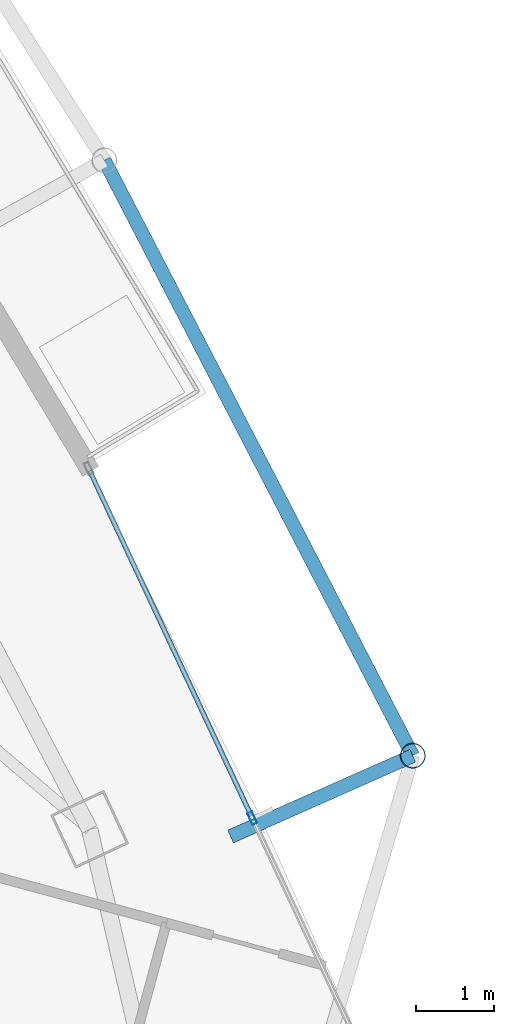
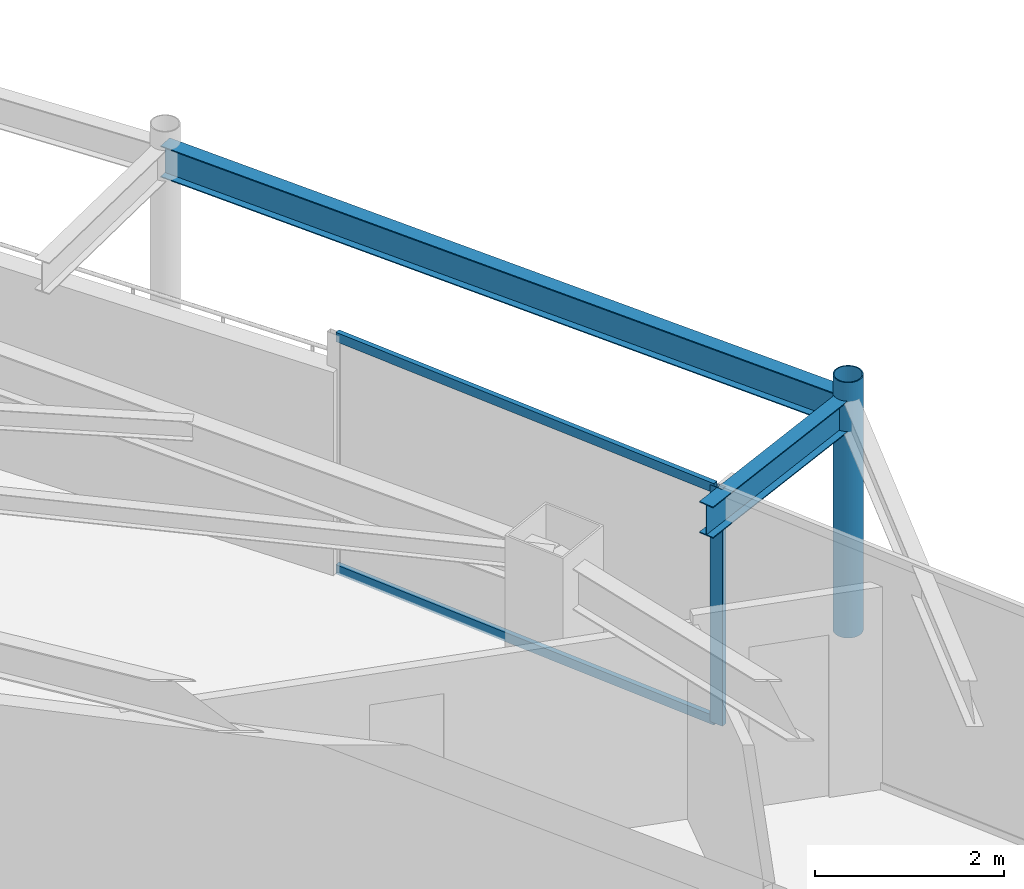
# One storey, part 19 of 30: 4 members, 2 beams, 1 element without a shape of its own.
"""IFC4 building model written with IfcOpenShell, lengths in metres."""

from ifc_helpers import new_model, si_unit, direction, frame, origin, origin_2d, place, context, subcontext, project, spatial, hollow_rectangle, hollow_circle, i_section, extrude, material, layer, layer_set, material_profile, profile_set, type_object, element, aggregate, save


model = new_model("IFC4")

# Units and contexts
model_context = context("Model", 3, precision=1e-05, world=origin(), true_north=direction((0.0, 1.0)))
body_context = subcontext(model_context, "Body", "Model", "MODEL_VIEW")
ifc_project = project(units=[si_unit("LENGTHUNIT", "METRE"), si_unit("AREAUNIT", "SQUARE_METRE"), si_unit("VOLUMEUNIT", "CUBIC_METRE"), si_unit("PLANEANGLEUNIT", "RADIAN"), si_unit("MASSUNIT", "GRAM", prefix="KILO")], contexts=[model_context])

# Site, building, storey
site_placement = place(None, origin())
site = spatial("IfcSite", under=ifc_project, at=site_placement, CompositionType="ELEMENT")
building_placement = place(site_placement, origin())
building = spatial("IfcBuilding", under=site, at=building_placement, Name="Orvanel Arch Residences", CompositionType="ELEMENT")
storey_placement = place(building_placement, frame((0.0, 0.0, 226.10009765625)))
storey = spatial("IfcBuildingStorey", under=building, at=storey_placement, Name="L64", CompositionType="ELEMENT", Elevation=226.10009765625)

# Curtain wall, member
ifc_material_1 = material(Name="Bronze-anodised aluminium AA6063-T6", Category="aluminium")
ifc_layer = layer(ifc_material_1, 0.175048828125)
ifc_layer_set = layer_set([ifc_layer], Name="Bronze-anodised aluminium AA6063-T6")
curtain_wall_type = type_object("IfcCurtainWallType", Name="CW4-HI-SYS", PredefinedType="NOTDEFINED", material=ifc_layer_set)
curtain_wall_placement = place(storey_placement, origin())
curtain_wall = element("IfcCurtainWall", 1, at=curtain_wall_placement, inside=storey, type_object=curtain_wall_type, Name="L64 CW4-HI-SYS Unitised Curtain Wall", PredefinedType="NOTDEFINED")
ifc_material_profile_1 = material_profile(ifc_material_1, hollow_rectangle(XDim=0.06494140625, YDim=0.159912109375, WallThickness=0.00390625, at=origin_2d()), Name="ALU160x65x4")
ifc_profile_set_1 = profile_set([ifc_material_profile_1], Name="Bronze-anodised aluminium AA6063-T6")
member_type_1 = type_object("IfcMemberType", Name="MUL-160x65", PredefinedType="MULLION", material=ifc_profile_set_1)
member_1_placement = place(storey_placement, frame((51.715087890625, 19.783935546875, 0.0), z_axis=(0.0, 0.0, 1.0), x_axis=(-0.905705004304, -0.423908533978, 0.0)))
member_1 = element("IfcMember", 2, at=member_1_placement, type_object=member_type_1, Name="CW-S4 mullion 2", PredefinedType="MULLION", context=body_context, shape_type="SweptSolid", body=[
    extrude(hollow_rectangle(XDim=0.06494140625, YDim=0.159912109375, WallThickness=0.00390625, at=origin_2d()), origin(), (0.0, 0.0, 1.0), 3.059814453125),
])

# Beams
ifc_material_2 = material(Name="Structural steel AS/NZS 3679.1 Grade 300 (300 MPa)", Category="steel")
ifc_material_profile_2 = material_profile(ifc_material_2, i_section(OverallWidth=0.177978515625, OverallDepth=0.406005859375, WebThickness=0.0078125, FlangeThickness=0.0126953125, at=origin_2d()), Name="410UB59.7")
ifc_profile_set_2 = profile_set([ifc_material_profile_2], Name="Structural steel AS/NZS 3679.1 Grade 300 (300 MPa)")
beam_type = type_object("IfcBeamType", Name="OB-410UB-EXT", PredefinedType="SPANDREL", material=ifc_profile_set_2)
beam_1_placement = place(storey_placement, frame((51.43701171875, 19.550048828125, 2.85693359375), z_axis=(0.914115288408, 0.405454361794, 0.0), x_axis=(-0.405454361794, 0.914115288408, 0.0)))
element("IfcBeam", 3, at=beam_1_placement, inside=storey, type_object=beam_type, Name="L64 Outer Frame Radial Tie Beam 09", PredefinedType="SPANDREL", context=body_context, shape_type="SweptSolid", body=[
    extrude(i_section(OverallWidth=0.177978515625, OverallDepth=0.406005859375, WebThickness=0.0078125, FlangeThickness=0.0126953125, at=origin_2d()), origin(), (0.0, 0.0, 1.0), 2.550048828125),
])
beam_2_placement = place(storey_placement, frame((53.76806640625, 20.583984375, 2.85693359375), z_axis=(-0.459994065617, 0.88792198959, 0.0), x_axis=(-0.88792198959, -0.459994065617, 0.0)))
element("IfcBeam", 4, at=beam_2_placement, inside=storey, type_object=beam_type, Name="L64 Outer Perimeter Floor Ring Beam 09", PredefinedType="SPANDREL", context=body_context, shape_type="SweptSolid", body=[
    extrude(i_section(OverallWidth=0.177978515625, OverallDepth=0.406005859375, WebThickness=0.0078125, FlangeThickness=0.0126953125, at=origin_2d()), origin(), (0.0, 0.0, 1.0), 8.58056640625),
])

# Member
ifc_material_3 = material(Name="Structural steel AS/NZS 1163 C350L0 (Grade 350)", Category="steel")
ifc_material_profile_3 = material_profile(ifc_material_3, hollow_circle(Radius=0.162109375, WallThickness=0.0126953125, at=origin_2d()), Name="CHS324x12.7")
ifc_profile_set_3 = profile_set([ifc_material_profile_3], Name="Structural steel AS/NZS 1163 C350L0 (Grade 350)")
member_type_2 = type_object("IfcMemberType", Name="ST-324CHS-EXT", PredefinedType="STRUT", material=ifc_profile_set_3)
member_2_placement = place(storey_placement, frame((53.76806640625, 20.583984375, 0.0), z_axis=(0.0, 0.0, 1.0), x_axis=(1.0, 0.0, 0.0)))
element("IfcMember", 5, at=member_2_placement, inside=storey, type_object=member_type_2, Name="L64 Outer Perimeter Frame Post 09", PredefinedType="STRUT", context=body_context, shape_type="SweptSolid", body=[
    extrude(hollow_circle(Radius=0.162109375, WallThickness=0.0126953125, at=origin_2d()), origin(), (0.0, 0.0, 1.0), 3.2998046875),
])

ifc_material_profile_4 = material_profile(ifc_material_1, hollow_rectangle(XDim=0.06005859375, YDim=0.1201171875, WallThickness=0.00341796875, at=origin_2d()), Name="ALU120x60x3.5")
ifc_profile_set_4 = profile_set([ifc_material_profile_4], Name="Bronze-anodised aluminium AA6063-T6")
member_type_3 = type_object("IfcMemberType", Name="TRN-120x60", PredefinedType="USERDEFINED", material=ifc_profile_set_4)
member_3_placement = place(storey_placement, frame((51.701171875, 19.8134765625, 0.02978515625), z_axis=(-0.423899048381, 0.905709443907, 0.0), x_axis=(-0.905709443907, -0.423899048381, 0.0)))
member_3 = element("IfcMember", 6, at=member_3_placement, type_object=member_type_3, Name="CW-S4 transom 2.1", ObjectType="TRANSOM", PredefinedType="USERDEFINED", context=body_context, shape_type="SweptSolid", body=[
    extrude(hollow_rectangle(XDim=0.06005859375, YDim=0.1201171875, WallThickness=0.00341796875, at=origin_2d()), origin(), (0.0, 0.0, 1.0), 4.877685546875),
])

member_4_placement = place(storey_placement, frame((51.701171875, 19.8134765625, 3.02978515625), z_axis=(-0.423899048381, 0.905709443907, 0.0), x_axis=(-0.905709443907, -0.423899048381, 0.0)))
member_4 = element("IfcMember", 7, at=member_4_placement, type_object=member_type_3, Name="CW-S4 transom 2.2", ObjectType="TRANSOM", PredefinedType="USERDEFINED", context=body_context, shape_type="SweptSolid", body=[
    extrude(hollow_rectangle(XDim=0.06005859375, YDim=0.1201171875, WallThickness=0.00341796875, at=origin_2d()), origin(), (0.0, 0.0, 1.0), 4.877685546875),
])

aggregate(curtain_wall, [member_1, member_3, member_4])

save(model, "model.ifc")
